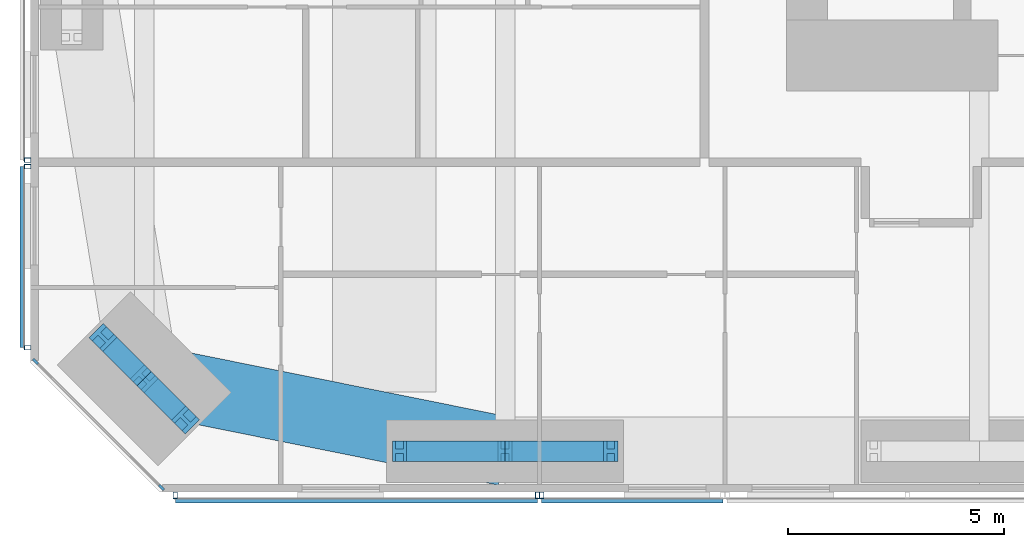
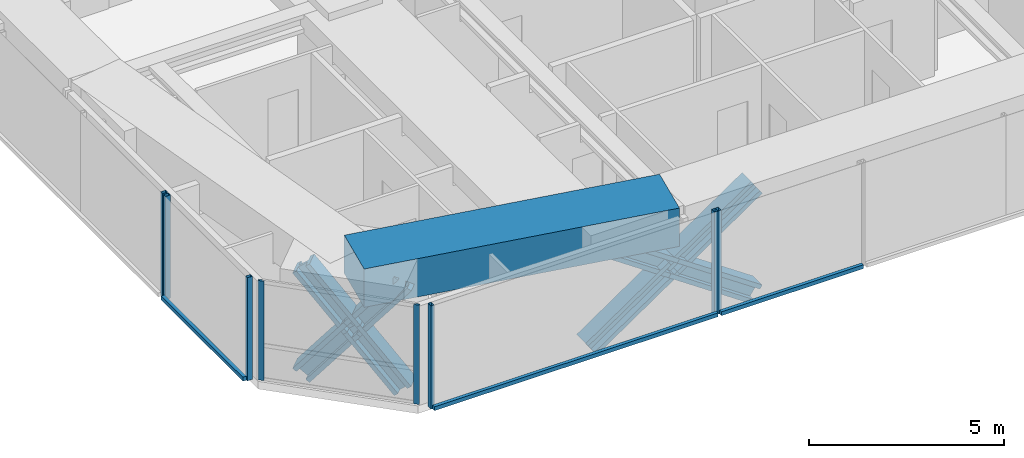
# One storey, part 2 of 24: 19 members, 1 beam, 5 elements without a shape of their own.
"""IFC4 building model written with IfcOpenShell, lengths in metres."""

from ifc_helpers import new_model, si_unit, direction, frame, origin, origin_2d, place, context, subcontext, project, spatial, rectangle, hollow_rectangle, i_section, extrude, material, material_profile, profile_set, type_object, element, aggregate, save


model = new_model("IFC4")

# Units and contexts
model_context = context("Model", 3, precision=1e-05, world=origin(), true_north=direction((0.0, 1.0)))
body_context = subcontext(model_context, "Body", "Model", "MODEL_VIEW")
ifc_project = project(units=[si_unit("LENGTHUNIT", "METRE"), si_unit("AREAUNIT", "SQUARE_METRE"), si_unit("VOLUMEUNIT", "CUBIC_METRE"), si_unit("PLANEANGLEUNIT", "RADIAN"), si_unit("MASSUNIT", "GRAM", prefix="KILO")], contexts=[model_context])

# Site, building, storey
site_placement = place(None, origin())
site = spatial("IfcSite", under=ifc_project, at=site_placement, CompositionType="ELEMENT")
building_placement = place(site_placement, origin())
building = spatial("IfcBuilding", under=site, at=building_placement, Name="Jalousie Tower", CompositionType="ELEMENT")
storey_placement = place(building_placement, frame((0.0, 0.0, 57.85009765625)))
storey = spatial("IfcBuildingStorey", under=building, at=storey_placement, Name="L15", CompositionType="ELEMENT", Elevation=57.85009765625)

# Curtain wall, members
ifc_material_1 = material(Name="Aluminium curtain wall", Category="aluminium")
curtain_wall_type_1 = type_object("IfcCurtainWallType", Name="CORNER WINDOW WALL", PredefinedType="USERDEFINED", material=ifc_material_1)
curtain_wall_1_placement = place(storey_placement, origin())
curtain_wall_1 = element("IfcCurtainWall", 1, at=curtain_wall_1_placement, inside=storey, type_object=curtain_wall_type_1, Name="Corner Window Wall L15 8", ObjectType="CORNER WINDOW WALL", PredefinedType="USERDEFINED")
ifc_material_2 = material(Name="Aluminium mullion", Category="aluminium")
ifc_material_profile_1 = material_profile(ifc_material_2, rectangle(XDim=0.06005859375, YDim=0.14990234375, at=origin_2d()), Name="MULLION 60x150")
ifc_profile_set_1 = profile_set([ifc_material_profile_1], Name="Aluminium mullion")
member_type_1 = type_object("IfcMemberType", Name="CORNER WINDOW WALL MULLION", PredefinedType="MULLION", material=ifc_profile_set_1)
member_1_placement = place(storey_placement, frame((2.108642578125, 3.030029296875, 0.0), z_axis=(0.0, 0.0, 1.0), x_axis=(0.707106781187, 0.707106781187, 0.0)))
member_1 = element("IfcMember", 2, at=member_1_placement, type_object=member_type_1, Name="CW-C mullion 1", PredefinedType="MULLION", context=body_context, shape_type="SweptSolid", body=[
    extrude(rectangle(XDim=0.06005859375, YDim=0.14990234375, at=origin_2d()), origin(), (0.0, 0.0, 1.0), 3.10986328125),
])
member_2_placement = place(storey_placement, frame((5.030029296875, 0.108642578125, 0.0), z_axis=(0.0, 0.0, 1.0), x_axis=(0.707106781187, 0.707106781187, 0.0)))
member_2 = element("IfcMember", 3, at=member_2_placement, type_object=member_type_1, Name="CW-C mullion 2", PredefinedType="MULLION", context=body_context, shape_type="SweptSolid", body=[
    extrude(rectangle(XDim=0.06005859375, YDim=0.14990234375, at=origin_2d()), origin(), (0.0, 0.0, 1.0), 3.10986328125),
])
aggregate(curtain_wall_1, [member_1, member_2])

# Members
ifc_material_3 = material(Name="Steel ASTM A992 Grade 50", Category="steel")
ifc_material_profile_2 = material_profile(ifc_material_3, i_section(OverallWidth=0.472412109375, OverallDepth=0.5791015625, WebThickness=0.094970703125, FlangeThickness=0.1298828125, at=origin_2d()), Name="W14X808")
ifc_profile_set_2 = profile_set([ifc_material_profile_2], Name="Steel ASTM A992 Grade 50")
member_type_2 = type_object("IfcMemberType", Name="PERIMETER BRACE W14X808", PredefinedType="BRACE", material=ifc_profile_set_2)
for number, where, z_axis, x_axis, name in (
    (4, (3.6767578125, 3.5859375, -0.60009765625), (0.443718327034, -0.443718327034, 0.778606506849), (0.707106781187, 0.707106781187, 0.0), "Perimeter brace 01 L15 part 1"),
    (5, (4.63134765625, 2.63134765625, 1.074951171875), (0.443718327034, -0.443718327034, 0.778606506849), (0.707106781187, 0.707106781187, 0.0), "Perimeter brace 01 L15 part 2"),
    (6, (5.5859375, 1.6767578125, -0.60009765625), (-0.443718327034, 0.443718327034, 0.778606506849), (-0.707106781187, -0.707106781187, 0.0), "Perimeter brace 01 L15 part 3"),
    (7, (4.63134765625, 2.63134765625, 1.074951171875), (-0.443718327034, 0.443718327034, 0.778606506849), (-0.707106781187, -0.707106781187, 0.0), "Perimeter brace 01 L15 part 4"),
):
    element("IfcMember", number, at=place(storey_placement, frame(where, z_axis=z_axis, x_axis=x_axis)), inside=storey, type_object=member_type_2, Name=name, PredefinedType="BRACE", context=body_context, shape_type="SweptSolid", body=[
        extrude(i_section(OverallWidth=0.472412109375, OverallDepth=0.5791015625, WebThickness=0.094970703125, FlangeThickness=0.1298828125, at=origin_2d()), origin(), (0.0, 0.0, 1.0), 2.1513671875),
    ])
for number, where, z_axis, x_axis, name in (
    (8, (10.550048828125, 0.949951171875, -0.60009765625), (0.825500916831, 0.0, 0.564400776321), (0.0, 1.0, 0.0), "Perimeter brace 02 L15 part 1"),
    (9, (13.0, 0.949951171875, 1.074951171875), (0.825500916831, 0.0, 0.564400776321), (0.0, 1.0, 0.0), "Perimeter brace 02 L15 part 2"),
    (10, (15.449951171875, 0.949951171875, -0.60009765625), (-0.825500916831, 0.0, 0.564400776321), (0.0, -1.0, 0.0), "Perimeter brace 02 L15 part 3"),
    (11, (13.0, 0.949951171875, 1.074951171875), (-0.825500916831, 0.0, 0.564400776321), (0.0, -1.0, 0.0), "Perimeter brace 02 L15 part 4"),
):
    element("IfcMember", number, at=place(storey_placement, frame(where, z_axis=z_axis, x_axis=x_axis)), inside=storey, type_object=member_type_2, Name=name, PredefinedType="BRACE", context=body_context, shape_type="SweptSolid", body=[
        extrude(i_section(OverallWidth=0.472412109375, OverallDepth=0.5791015625, WebThickness=0.094970703125, FlangeThickness=0.1298828125, at=origin_2d()), origin(), (0.0, 0.0, 1.0), 2.9677734375),
    ])

# Beam
ifc_material_4 = material(Name="Concrete f'c 40 MPa", Category="concrete")
ifc_material_profile_3 = material_profile(ifc_material_4, rectangle(XDim=1.60009765625, YDim=1.199951171875, at=origin_2d()), Name="RC 1600x1200")
ifc_profile_set_3 = profile_set([ifc_material_profile_3], Name="Concrete f'c 40 MPa")
beam_type = type_object("IfcBeamType", Name="RC BEAM 1600x1200", PredefinedType="BEAM", material=ifc_profile_set_3)
beam_placement = place(storey_placement, frame((4.63134765625, 2.63134765625, 2.75), z_axis=(0.980407585444, -0.196979609107, 0.0), x_axis=(0.196979609107, 0.980407585444, 0.0)))
element("IfcBeam", 12, at=beam_placement, inside=storey, type_object=beam_type, Name="Edge band beam 01-02 under L16", PredefinedType="BEAM", context=body_context, shape_type="SweptSolid", body=[
    extrude(rectangle(XDim=1.60009765625, YDim=1.199951171875, at=origin_2d()), origin(), (0.0, 0.0, 1.0), 8.535888671875),
])

# Curtain wall, members
ifc_material_5 = material(Name="Perforated aluminium sheet", Category="aluminium")
curtain_wall_type_2 = type_object("IfcCurtainWallType", Name="SOLAR SCREEN SS-1", PredefinedType="USERDEFINED", material=ifc_material_5)
curtain_wall_2_placement = place(storey_placement, origin())
curtain_wall_2 = element("IfcCurtainWall", 13, at=curtain_wall_2_placement, inside=storey, type_object=curtain_wall_type_2, Name="Solar screen L15", ObjectType="SOLAR SCREEN SS-1", PredefinedType="USERDEFINED")
ifc_material_6 = material(Name="Steel ASTM A500 Grade C", Category="steel")
ifc_material_profile_4 = material_profile(ifc_material_6, hollow_rectangle(XDim=0.1015625, YDim=0.15234375, WallThickness=0.00634765625, at=origin_2d()), Name="HSS6X4X1/4")
ifc_profile_set_4 = profile_set([ifc_material_profile_4], Name="Steel ASTM A500 Grade C")
member_type_3 = type_object("IfcMemberType", Name="SOLAR SCREEN SS-1 MULLION", PredefinedType="MULLION", material=ifc_profile_set_4)
member_3_placement = place(storey_placement, frame((5.351318359375, -0.0712890625, -0.1201171875), z_axis=(0.0, 0.0, 1.0), x_axis=(1.0, 0.0, 0.0)))
member_3 = element("IfcMember", 14, at=member_3_placement, type_object=member_type_3, Name="SS1 post 1", PredefinedType="MULLION", context=body_context, shape_type="SweptSolid", body=[
    extrude(hollow_rectangle(XDim=0.1015625, YDim=0.15234375, WallThickness=0.00634765625, at=origin_2d()), origin(), (0.0, 0.0, 1.0), 3.22998046875),
])
member_4_placement = place(storey_placement, frame((13.75, -0.0712890625, -0.1201171875), z_axis=(0.0, 0.0, 1.0), x_axis=(1.0, 0.0, 0.0)))
member_4 = element("IfcMember", 15, at=member_4_placement, type_object=member_type_3, Name="SS1 post 2", PredefinedType="MULLION", context=body_context, shape_type="SweptSolid", body=[
    extrude(hollow_rectangle(XDim=0.1015625, YDim=0.15234375, WallThickness=0.00634765625, at=origin_2d()), origin(), (0.0, 0.0, 1.0), 3.22998046875),
])

# Curtain wall, member
curtain_wall_3_placement = place(storey_placement, origin())
curtain_wall_3 = element("IfcCurtainWall", 16, at=curtain_wall_3_placement, inside=storey, type_object=curtain_wall_type_2, Name="Solar screen L15", ObjectType="SOLAR SCREEN SS-1", PredefinedType="USERDEFINED")
member_5_placement = place(storey_placement, frame((13.85009765625, -0.0712890625, -0.1201171875), z_axis=(0.0, 0.0, 1.0), x_axis=(1.0, 0.0, 0.0)))
member_5 = element("IfcMember", 17, at=member_5_placement, type_object=member_type_3, Name="SS1 post 1", PredefinedType="MULLION", context=body_context, shape_type="SweptSolid", body=[
    extrude(hollow_rectangle(XDim=0.1015625, YDim=0.15234375, WallThickness=0.00634765625, at=origin_2d()), origin(), (0.0, 0.0, 1.0), 3.22998046875),
])

curtain_wall_4_placement = place(storey_placement, origin())
curtain_wall_4 = element("IfcCurtainWall", 18, at=curtain_wall_4_placement, inside=storey, type_object=curtain_wall_type_2, Name="Solar screen L15", ObjectType="SOLAR SCREEN SS-1", PredefinedType="USERDEFINED")
member_6_placement = place(storey_placement, frame((1.9287109375, 7.699951171875, -0.1201171875), z_axis=(0.0, 0.0, 1.0), x_axis=(0.0, -1.0, 0.0)))
member_6 = element("IfcMember", 19, at=member_6_placement, type_object=member_type_3, Name="SS1 post 3", PredefinedType="MULLION", context=body_context, shape_type="SweptSolid", body=[
    extrude(hollow_rectangle(XDim=0.1015625, YDim=0.15234375, WallThickness=0.00634765625, at=origin_2d()), origin(), (0.0, 0.0, 1.0), 3.22998046875),
])
aggregate(curtain_wall_4, [member_6])

# Curtain wall, members
curtain_wall_5_placement = place(storey_placement, origin())
curtain_wall_5 = element("IfcCurtainWall", 20, at=curtain_wall_5_placement, inside=storey, type_object=curtain_wall_type_2, Name="Solar screen L15", ObjectType="SOLAR SCREEN SS-1", PredefinedType="USERDEFINED")
member_7_placement = place(storey_placement, frame((1.9287109375, 7.550048828125, -0.1201171875), z_axis=(0.0, 0.0, 1.0), x_axis=(0.0, -1.0, 0.0)))
member_7 = element("IfcMember", 21, at=member_7_placement, type_object=member_type_3, Name="SS1 post 1", PredefinedType="MULLION", context=body_context, shape_type="SweptSolid", body=[
    extrude(hollow_rectangle(XDim=0.1015625, YDim=0.15234375, WallThickness=0.00634765625, at=origin_2d()), origin(), (0.0, 0.0, 1.0), 3.22998046875),
])
member_8_placement = place(storey_placement, frame((1.9287109375, 3.351318359375, -0.1201171875), z_axis=(0.0, 0.0, 1.0), x_axis=(0.0, -1.0, 0.0)))
member_8 = element("IfcMember", 22, at=member_8_placement, type_object=member_type_3, Name="SS1 post 2", PredefinedType="MULLION", context=body_context, shape_type="SweptSolid", body=[
    extrude(hollow_rectangle(XDim=0.1015625, YDim=0.15234375, WallThickness=0.00634765625, at=origin_2d()), origin(), (0.0, 0.0, 1.0), 3.22998046875),
])

# Member
ifc_material_7 = material(Name="Extruded aluminium screen rail", Category="aluminium")
ifc_material_profile_5 = material_profile(ifc_material_7, rectangle(XDim=0.1015625, YDim=0.1201171875, at=origin_2d()), Name="RAIL 102x120")
ifc_profile_set_5 = profile_set([ifc_material_profile_5], Name="Extruded aluminium screen rail")
member_type_4 = type_object("IfcMemberType", Name="SOLAR SCREEN SS-1 TRANSOM", PredefinedType="USERDEFINED", material=ifc_profile_set_5)
member_9_placement = place(storey_placement, frame((5.351318359375, -0.1982421875, -0.06005859375), z_axis=(1.0, 0.0, 0.0), x_axis=(0.0, 1.0, 0.0)))
member_9 = element("IfcMember", 23, at=member_9_placement, type_object=member_type_4, Name="SS1 rail", ObjectType="TRANSOM", PredefinedType="USERDEFINED", context=body_context, shape_type="SweptSolid", body=[
    extrude(rectangle(XDim=0.1015625, YDim=0.1201171875, at=origin_2d()), origin(), (0.0, 0.0, 1.0), 8.398681640625),
])

aggregate(curtain_wall_2, [member_3, member_4, member_9])

member_10_placement = place(storey_placement, frame((13.85009765625, -0.1982421875, -0.06005859375), z_axis=(1.0, 0.0, 0.0), x_axis=(0.0, 1.0, 0.0)))
member_10 = element("IfcMember", 24, at=member_10_placement, type_object=member_type_4, Name="SS1 rail", ObjectType="TRANSOM", PredefinedType="USERDEFINED", context=body_context, shape_type="SweptSolid", body=[
    extrude(rectangle(XDim=0.1015625, YDim=0.1201171875, at=origin_2d()), origin(), (0.0, 0.0, 1.0), 4.199951171875),
])

aggregate(curtain_wall_3, [member_5, member_10])

member_11_placement = place(storey_placement, frame((1.8017578125, 7.550048828125, -0.06005859375), z_axis=(0.0, -1.0, 0.0), x_axis=(1.0, 0.0, 0.0)))
member_11 = element("IfcMember", 25, at=member_11_placement, type_object=member_type_4, Name="SS1 rail", ObjectType="TRANSOM", PredefinedType="USERDEFINED", context=body_context, shape_type="SweptSolid", body=[
    extrude(rectangle(XDim=0.1015625, YDim=0.1201171875, at=origin_2d()), origin(), (0.0, 0.0, 1.0), 4.19873046875),
])

aggregate(curtain_wall_5, [member_7, member_8, member_11])

save(model, "model.ifc")
